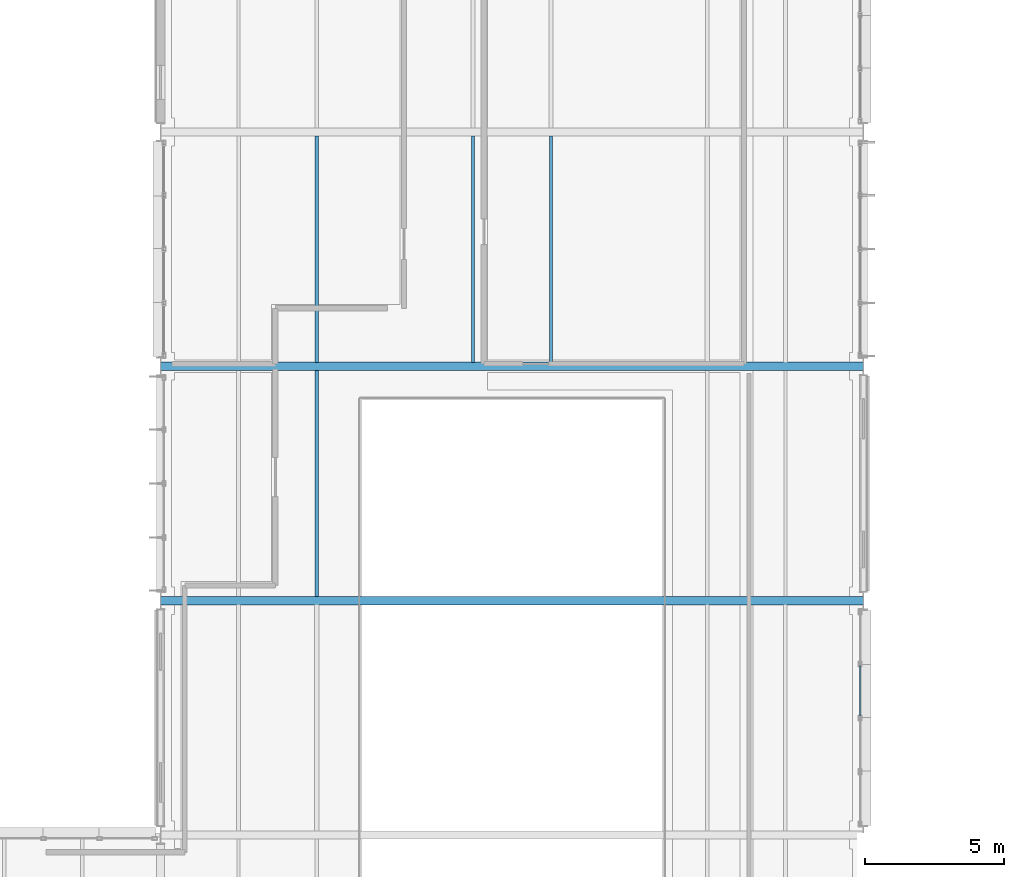
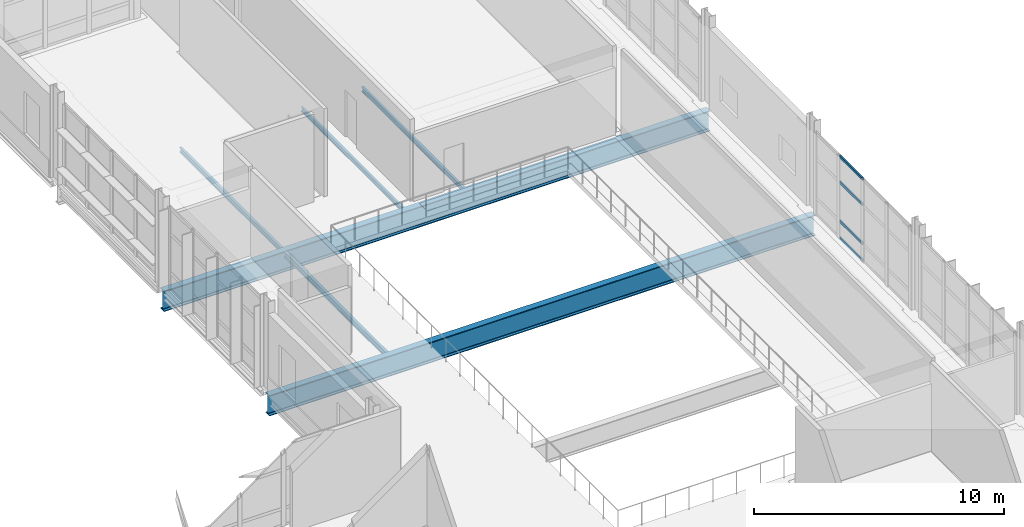
# One storey, part 46 of 129: 6 beams, 4 members, 1 element without a shape of its own.
"""IFC4 building model written with IfcOpenShell, lengths in metres."""

import ifcopenshell
import ifcopenshell.guid

model = None  # the IFC model being written
_history = None  # IfcOwnerHistory: only IFC2X3 demands one
_inside = {}  # id of a spatial element -> (the spatial element, [elements in it])
_under = {}  # id of a project, library or spatial element -> (it, [spatial elements below it])
_declared = {}  # id of a project -> (the project, [libraries it declares])
_typed = {}  # id of a type object -> (the type object, [elements of that type])
_made_of = {}  # id of a material, layer set ... -> (it, [elements and type objects made of it])


def new_model(schema):
    """Start an empty IFC model of exactly this schema.

    Asked for "IFC4X3", IfcOpenShell would pick the latest addendum, in which some entities
    have other attributes; the version numbers below select the first issue.
    IFC2X3 requires an IfcOwnerHistory on every rooted entity: one is made here for all.
    """
    global model, _history
    if schema == "IFC4X3":
        model = ifcopenshell.file(schema_version=(4, 3, 0, 0))
    else:
        model = ifcopenshell.file(schema=schema)
    _inside.clear()
    _under.clear()
    _declared.clear()
    _typed.clear()
    _made_of.clear()
    _history = None
    if model.schema == "IFC2X3":
        org = make("IfcOrganization", Name="unknown")
        user = make(
            "IfcPersonAndOrganization",
            ThePerson=make("IfcPerson", FamilyName="unknown"),
            TheOrganization=org,
        )
        app = make(
            "IfcApplication",
            ApplicationDeveloper=org,
            Version="unknown",
            ApplicationFullName="unknown",
            ApplicationIdentifier="unknown",
        )
        _history = make(
            "IfcOwnerHistory",
            OwningUser=user,
            OwningApplication=app,
            ChangeAction="ADDED",
            CreationDate=0,
        )
    return model


def make(cls, **values):
    """One entity of the class cls with the attributes given. An attribute that is None is left unset."""
    return model.create_entity(
        cls, **{name: value for name, value in values.items() if value is not None}
    )


def rooted(cls, **values):
    """An entity with a GlobalId (a new one), such as an element, a storey or a relation."""
    return make(cls, GlobalId=ifcopenshell.guid.new(), OwnerHistory=_history, **values)


def si_unit(unit_type, name, prefix=None):
    """IfcSIUnit, for example si_unit("LENGTHUNIT", "METRE", prefix="MILLI")."""
    return make("IfcSIUnit", UnitType=unit_type, Prefix=prefix, Name=name)


def assignment(units):
    """IfcUnitAssignment: the units of a project."""
    return None if units is None else make("IfcUnitAssignment", Units=units)


def point(xyz):
    """IfcCartesianPoint."""
    return None if xyz is None else make("IfcCartesianPoint", Coordinates=xyz)


def direction(xyz):
    """IfcDirection."""
    return None if xyz is None else make("IfcDirection", DirectionRatios=xyz)


def frame(location, z_axis=None, x_axis=None):
    """IfcAxis2Placement3D, a coordinate frame: its origin and axes. An axis left out is left unset."""
    return make(
        "IfcAxis2Placement3D",
        Location=point(location),
        Axis=direction(z_axis),
        RefDirection=direction(x_axis),
    )


def frame_2d(location, x_axis=None):
    """IfcAxis2Placement2D, a coordinate frame in the plane: its origin and x axis."""
    return make(
        "IfcAxis2Placement2D", Location=point(location), RefDirection=direction(x_axis)
    )


def origin():
    """The frame at (0, 0, 0) with its axes left unset."""
    return frame((0.0, 0.0, 0.0))


def origin_2d():
    """The frame at (0, 0) in the plane with its x axis left unset."""
    return frame_2d((0.0, 0.0))


def place(relative_to, where):
    """IfcLocalPlacement: puts the frame where relative to a parent placement (None: the world)."""
    return make(
        "IfcLocalPlacement", PlacementRelTo=relative_to, RelativePlacement=where
    )


def context(
    kind, dimensions, precision=None, world=None, true_north=None, identifier=None
):
    """IfcGeometricRepresentationContext, for example the 3D "Model" context."""
    return make(
        "IfcGeometricRepresentationContext",
        ContextIdentifier=identifier,
        ContextType=kind,
        CoordinateSpaceDimension=dimensions,
        Precision=precision,
        WorldCoordinateSystem=world,
        TrueNorth=true_north,
    )


def subcontext(parent, identifier, kind, view, scale=None):
    """IfcGeometricRepresentationSubContext, for example "Body" below "Model"."""
    return make(
        "IfcGeometricRepresentationSubContext",
        ContextIdentifier=identifier,
        ContextType=kind,
        ParentContext=parent,
        TargetScale=scale,
        TargetView=view,
    )


def project(units=None, contexts=None):
    """IfcProject with its units and contexts."""
    return rooted(
        "IfcProject",
        Name="project",
        RepresentationContexts=contexts,
        UnitsInContext=assignment(units),
    )


def spatial(cls, under=None, at=None, **own):
    """A site, building, storey or space (cls), placed at a placement, below another one or the project."""
    s = rooted(cls, ObjectPlacement=at, **own)
    if under is not None:
        _under.setdefault(under.id(), (under, []))[1].append(s)
    return s


def profile(cls, at=None, kind="AREA", **sizes):
    """A parametric profile (cls). Its sizes go by their IFC names, for example OverallWidth=200.0."""
    return make(cls, ProfileType=kind, Position=at, **sizes)


def hollow_rectangle(**sizes):
    """IfcRectangleHollowProfileDef."""
    return profile("IfcRectangleHollowProfileDef", **sizes)


def i_section(**sizes):
    """IfcIShapeProfileDef."""
    return profile("IfcIShapeProfileDef", **sizes)


def extrude(swept, where, along, depth):
    """IfcExtrudedAreaSolid: the profile swept, set in the frame where, extruded along a direction by depth."""
    return make(
        "IfcExtrudedAreaSolid",
        SweptArea=swept,
        Position=where,
        ExtrudedDirection=direction(along),
        Depth=depth,
    )


def shape(context_of_items, identifier, shape_type, items):
    """IfcShapeRepresentation: the items that make up one representation, for example the "Body"."""
    return make(
        "IfcShapeRepresentation",
        ContextOfItems=context_of_items,
        RepresentationIdentifier=identifier,
        RepresentationType=shape_type,
        Items=items,
    )


def material(Name=None, Category=None):
    """IfcMaterial."""
    return make("IfcMaterial", Name=Name, Category=Category)


def material_profile(
    of_material, cross_section, Name=None, Category=None, Priority=None
):
    """IfcMaterialProfile: a cross section and its material."""
    return make(
        "IfcMaterialProfile",
        Name=Name,
        Material=of_material,
        Profile=cross_section,
        Priority=Priority,
        Category=Category,
    )


def profile_set(profiles, Name=None, composite=None):
    """IfcMaterialProfileSet."""
    return make(
        "IfcMaterialProfileSet",
        Name=Name,
        MaterialProfiles=profiles,
        CompositeProfile=composite,
    )


def made_of(thing, what):
    """Note that an element or type object is made of a material, layer set ...; save() writes the relation."""
    if what is not None:
        _made_of.setdefault(what.id(), (what, []))[1].append(thing)
    return thing


def type_object(cls, material=None, **own):
    """A type object (cls), such as IfcWallType, which elements share."""
    return made_of(rooted(cls, **own), material)


def element(
    cls,
    number,
    at=None,
    inside=None,
    cuts=None,
    type_object=None,
    material=None,
    context=None,
    identifier="Body",
    shape_type=None,
    held_by="IfcProductDefinitionShape",
    body=None,
    shapes=None,
    **own,
):
    """One element of the class cls, such as IfcWall. Its Tag is "e" and its number.

    at: its placement. inside: the storey or other place that contains it. cuts: it is an
    opening in that element (IfcRelVoidsElement). A single representation is given by context,
    identifier, shape_type and body (its items); several are given by shapes. held_by: the class
    of the entity that holds the representations. save() writes the other relations.
    """
    e = rooted(cls, Tag="e%d" % number, ObjectPlacement=at, **own)
    if body is not None:
        shapes = [shape(context, identifier, shape_type, body)]
    if shapes is not None:
        e.Representation = make(held_by, Representations=shapes)
    if inside is not None:
        _inside.setdefault(inside.id(), (inside, []))[1].append(e)
    if cuts is not None:
        rooted(
            "IfcRelVoidsElement", RelatingBuildingElement=cuts, RelatedOpeningElement=e
        )
    if type_object is not None:
        _typed.setdefault(type_object.id(), (type_object, []))[1].append(e)
    return made_of(e, material)


def aggregate(whole, parts):
    """IfcRelAggregates: a whole, such as a stair, and the parts it consists of."""
    return rooted("IfcRelAggregates", RelatingObject=whole, RelatedObjects=parts)


def save(model, path):
    """Write the relations noted so far, then the file.

    IfcRelAggregates (storeys below a building ...), IfcRelContainedInSpatialStructure (elements
    in a storey), IfcRelDefinesByType, IfcRelAssociatesMaterial and IfcRelDeclares: one each for
    every whole, place, type object, material and project.
    """
    for whole, parts in _under.values():
        aggregate(whole, parts)
    for where, things in _inside.values():
        rooted(
            "IfcRelContainedInSpatialStructure",
            RelatedElements=things,
            RelatingStructure=where,
        )
    for kind, things in _typed.values():
        rooted("IfcRelDefinesByType", RelatedObjects=things, RelatingType=kind)
    for what, things in _made_of.values():
        rooted("IfcRelAssociatesMaterial", RelatedObjects=things, RelatingMaterial=what)
    for by, libraries in _declared.values():
        rooted("IfcRelDeclares", RelatingContext=by, RelatedDefinitions=libraries)
    model.write(path)


model = new_model("IFC4")

# Units and contexts
model_context = context("Model", 3, precision=1e-05, world=origin(), true_north=direction((0.0, 1.0)))
body_context = subcontext(model_context, "Body", "Model", "MODEL_VIEW")
ifc_project = project(units=[si_unit("LENGTHUNIT", "METRE"), si_unit("AREAUNIT", "SQUARE_METRE"), si_unit("VOLUMEUNIT", "CUBIC_METRE"), si_unit("PLANEANGLEUNIT", "RADIAN"), si_unit("MASSUNIT", "GRAM", prefix="KILO")], contexts=[model_context])

# Site, building, storey
site_placement = place(None, origin())
site = spatial("IfcSite", under=ifc_project, at=site_placement, CompositionType="ELEMENT")
building_placement = place(site_placement, origin())
building = spatial("IfcBuilding", under=site, at=building_placement, Name="Mersafa Astral City Hall", CompositionType="ELEMENT")
storey_placement = place(building_placement, frame((0.0, 0.0, 5.39990234375)))
storey = spatial("IfcBuildingStorey", under=building, at=storey_placement, Name="L01", CompositionType="ELEMENT", Elevation=5.39990234375)

# Curtain wall, members
ifc_material_1 = material(Name="Anodised bronze aluminium framing", Category="aluminium")
curtain_wall_type = type_object("IfcCurtainWallType", Name="ENV-CW-2", PredefinedType="USERDEFINED", material=ifc_material_1)
curtain_wall_placement = place(storey_placement, origin())
curtain_wall = element("IfcCurtainWall", 1, at=curtain_wall_placement, inside=storey, type_object=curtain_wall_type, Name="L01 Unitised solar curtain wall 55", ObjectType="UNITISED CURTAIN WALL", PredefinedType="USERDEFINED")
ifc_material_profile_1 = material_profile(ifc_material_1, hollow_rectangle(XDim=0.06005859375, YDim=0.139892578125, WallThickness=0.00390625, at=origin_2d()), Name="RHS 60x140x4")
ifc_profile_set_1 = profile_set([ifc_material_profile_1], Name="Anodised bronze aluminium framing")
member_type = type_object("IfcMemberType", Name="ENV-CW-TRN-1", PredefinedType="USERDEFINED", material=ifc_profile_set_1)
member_1_placement = place(storey_placement, frame((117.47998046875, 63.06005859375, 0.028076171875), z_axis=(0.0, 1.0, 0.0), x_axis=(-1.0, 0.0, 0.0)))
member_1 = element("IfcMember", 2, at=member_1_placement, type_object=member_type, Name="CW-2 transom 3.1", ObjectType="TRANSOM", PredefinedType="USERDEFINED", context=body_context, shape_type="SweptSolid", body=[
    extrude(hollow_rectangle(XDim=0.06005859375, YDim=0.139892578125, WallThickness=0.00390625, at=origin_2d()), origin(), (0.0, 0.0, 1.0), 1.8115234375),
])
member_2_placement = place(storey_placement, frame((117.47998046875, 63.06005859375, 0.85009765625), z_axis=(0.0, 1.0, 0.0), x_axis=(-1.0, 0.0, 0.0)))
member_2 = element("IfcMember", 3, at=member_2_placement, type_object=member_type, Name="CW-2 transom 3.2", ObjectType="TRANSOM", PredefinedType="USERDEFINED", context=body_context, shape_type="SweptSolid", body=[
    extrude(hollow_rectangle(XDim=0.06005859375, YDim=0.139892578125, WallThickness=0.00390625, at=origin_2d()), origin(), (0.0, 0.0, 1.0), 1.8115234375),
])
member_3_placement = place(storey_placement, frame((117.47998046875, 63.06005859375, 2.75), z_axis=(0.0, 1.0, 0.0), x_axis=(-1.0, 0.0, 0.0)))
member_3 = element("IfcMember", 4, at=member_3_placement, type_object=member_type, Name="CW-2 transom 3.3", ObjectType="TRANSOM", PredefinedType="USERDEFINED", context=body_context, shape_type="SweptSolid", body=[
    extrude(hollow_rectangle(XDim=0.06005859375, YDim=0.139892578125, WallThickness=0.00390625, at=origin_2d()), origin(), (0.0, 0.0, 1.0), 1.8115234375),
])
member_4_placement = place(storey_placement, frame((117.47998046875, 63.06005859375, 3.9970703125), z_axis=(0.0, 1.0, 0.0), x_axis=(-1.0, 0.0, 0.0)))
member_4 = element("IfcMember", 5, at=member_4_placement, type_object=member_type, Name="CW-2 transom 3.4", ObjectType="TRANSOM", PredefinedType="USERDEFINED", context=body_context, shape_type="SweptSolid", body=[
    extrude(hollow_rectangle(XDim=0.06005859375, YDim=0.139892578125, WallThickness=0.00390625, at=origin_2d()), origin(), (0.0, 0.0, 1.0), 1.8115234375),
])
aggregate(curtain_wall, [member_1, member_2, member_3, member_4])

# Beams
ifc_material_2 = material(Name="Steel S355", Category="steel")
ifc_material_profile_2 = material_profile(ifc_material_2, i_section(OverallWidth=0.110107421875, OverallDepth=0.219970703125, WebThickness=0.005859375, FlangeThickness=0.00927734375, FilletRadius=0.011962890625, at=origin_2d()), Name="IPE 220")
ifc_profile_set_2 = profile_set([ifc_material_profile_2], Name="Steel S355")
beam_type_1 = type_object("IfcBeamType", Name="STR-BM-JOIST-IPE220", PredefinedType="JOIST", material=ifc_profile_set_2)
for number, where, z_axis, x_axis, name in (
    (6, (103.60009765625, 75.7451171875, -0.3349609375), (0.0, 1.0, 0.0), (-1.0, 0.0, 0.0), "L01 Composite secondary floor joist 294"),
    (7, (106.39990234375, 75.7451171875, -0.3349609375), (0.0, 1.0, 0.0), (-1.0, 0.0, 0.0), "L01 Composite secondary floor joist 295"),
):
    element("IfcBeam", number, at=place(storey_placement, frame(where, z_axis=z_axis, x_axis=x_axis)), inside=storey, type_object=beam_type_1, Name=name, PredefinedType="JOIST", context=body_context, shape_type="SweptSolid", body=[
        extrude(i_section(OverallWidth=0.110107421875, OverallDepth=0.219970703125, WebThickness=0.005859375, FlangeThickness=0.00927734375, FilletRadius=0.011962890625, at=origin_2d()), origin(), (0.0, 0.0, 1.0), 8.10986328125),
    ])
ifc_material_profile_3 = material_profile(ifc_material_2, i_section(OverallWidth=0.1201171875, OverallDepth=0.239990234375, WebThickness=0.006103515625, FlangeThickness=0.009765625, FilletRadius=0.014892578125, at=origin_2d()), Name="IPE 240")
ifc_profile_set_3 = profile_set([ifc_material_profile_3], Name="Steel S355")
beam_type_2 = type_object("IfcBeamType", Name="STR-BM-JOIST-IPE240", PredefinedType="JOIST", material=ifc_profile_set_3)
beam_1_placement = place(storey_placement, frame((98.0, 75.7451171875, -0.344970703125), z_axis=(0.0, 1.0, 0.0), x_axis=(-1.0, 0.0, 0.0)))
element("IfcBeam", 8, at=beam_1_placement, inside=storey, type_object=beam_type_2, Name="L01 Composite secondary floor joist 281", PredefinedType="JOIST", context=body_context, shape_type="SweptSolid", body=[
    extrude(i_section(OverallWidth=0.1201171875, OverallDepth=0.239990234375, WebThickness=0.006103515625, FlangeThickness=0.009765625, FilletRadius=0.014892578125, at=origin_2d()), origin(), (0.0, 0.0, 1.0), 8.10986328125),
])
ifc_material_profile_4 = material_profile(ifc_material_2, i_section(OverallWidth=0.135009765625, OverallDepth=0.27001953125, WebThickness=0.006591796875, FlangeThickness=0.01025390625, FilletRadius=0.014892578125, at=origin_2d()), Name="IPE 270")
ifc_profile_set_4 = profile_set([ifc_material_profile_4], Name="Steel S355")
beam_type_3 = type_object("IfcBeamType", Name="STR-BM-JOIST-IPE270", PredefinedType="JOIST", material=ifc_profile_set_4)
beam_2_placement = place(storey_placement, frame((98.0, 67.344970703125, -0.35986328125), z_axis=(0.0, 1.0, 0.0), x_axis=(-1.0, 0.0, 0.0)))
element("IfcBeam", 9, at=beam_2_placement, inside=storey, type_object=beam_type_3, Name="L01 Composite secondary floor joist 279", PredefinedType="JOIST", context=body_context, shape_type="SweptSolid", body=[
    extrude(i_section(OverallWidth=0.135009765625, OverallDepth=0.27001953125, WebThickness=0.006591796875, FlangeThickness=0.01025390625, FilletRadius=0.014892578125, at=origin_2d()), origin(), (0.0, 0.0, 1.0), 8.110107421875),
])
ifc_material_profile_5 = material_profile(ifc_material_2, i_section(OverallWidth=0.300048828125, OverallDepth=1.0, WebThickness=0.01904296875, FlangeThickness=0.035888671875, FilletRadius=0.030029296875, at=origin_2d()), Name="HEB 1000")
ifc_profile_set_5 = profile_set([ifc_material_profile_5], Name="Steel S355")
beam_type_4 = type_object("IfcBeamType", Name="STR-BM-PORTAL-HEB1000", PredefinedType="BEAM", material=ifc_profile_set_5)
for number, where, z_axis, x_axis, name in (
    (10, (92.403076171875, 67.199951171875, -0.724853515625), (1.0, 0.0, 0.0), (0.0, 1.0, 0.0), "L01 Public Service Hall clear-span portal girder 8"),
    (11, (92.403076171875, 75.60009765625, -0.724853515625), (1.0, 0.0, 0.0), (0.0, 1.0, 0.0), "L01 Public Service Hall clear-span portal girder 9"),
):
    element("IfcBeam", number, at=place(storey_placement, frame(where, z_axis=z_axis, x_axis=x_axis)), inside=storey, type_object=beam_type_4, Name=name, PredefinedType="BEAM", context=body_context, shape_type="SweptSolid", body=[
        extrude(i_section(OverallWidth=0.300048828125, OverallDepth=1.0, WebThickness=0.01904296875, FlangeThickness=0.035888671875, FilletRadius=0.030029296875, at=origin_2d()), origin(), (0.0, 0.0, 1.0), 25.19384765625),
    ])

save(model, "model.ifc")
